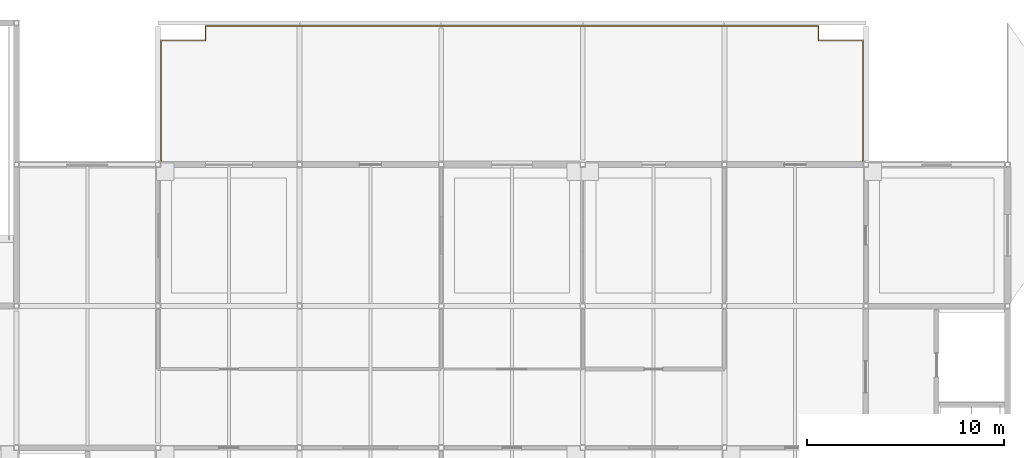
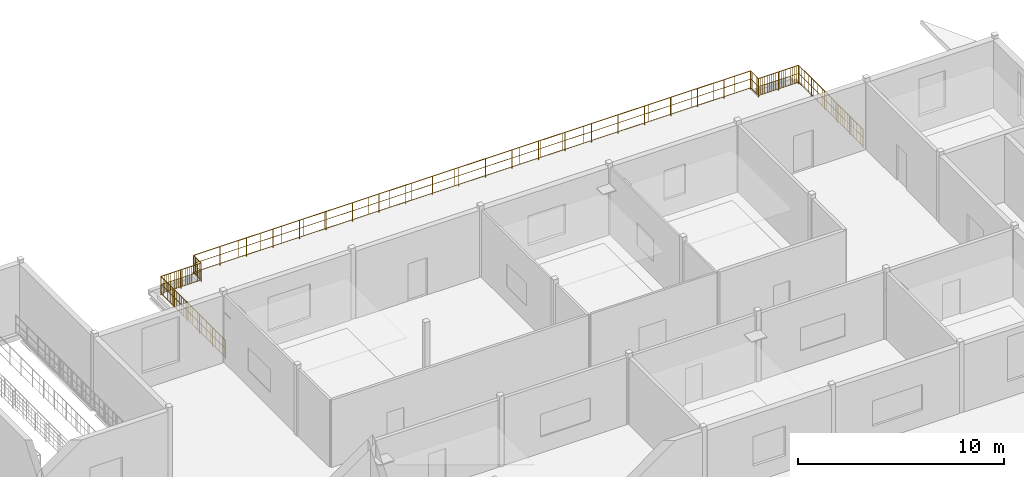
# One storey, part 18 of 18: 1 railing.
"""IFC4 building model written with IfcOpenShell, lengths in metres."""

import ifcopenshell
import ifcopenshell.guid

model = None  # the IFC model being written
_history = None  # IfcOwnerHistory: only IFC2X3 demands one
_inside = {}  # id of a spatial element -> (the spatial element, [elements in it])
_under = {}  # id of a project, library or spatial element -> (it, [spatial elements below it])
_declared = {}  # id of a project -> (the project, [libraries it declares])
_typed = {}  # id of a type object -> (the type object, [elements of that type])
_made_of = {}  # id of a material, layer set ... -> (it, [elements and type objects made of it])


def new_model(schema):
    """Start an empty IFC model of exactly this schema.

    Asked for "IFC4X3", IfcOpenShell would pick the latest addendum, in which some entities
    have other attributes; the version numbers below select the first issue.
    IFC2X3 requires an IfcOwnerHistory on every rooted entity: one is made here for all.
    """
    global model, _history
    if schema == "IFC4X3":
        model = ifcopenshell.file(schema_version=(4, 3, 0, 0))
    else:
        model = ifcopenshell.file(schema=schema)
    _inside.clear()
    _under.clear()
    _declared.clear()
    _typed.clear()
    _made_of.clear()
    _history = None
    if model.schema == "IFC2X3":
        org = make("IfcOrganization", Name="unknown")
        user = make(
            "IfcPersonAndOrganization",
            ThePerson=make("IfcPerson", FamilyName="unknown"),
            TheOrganization=org,
        )
        app = make(
            "IfcApplication",
            ApplicationDeveloper=org,
            Version="unknown",
            ApplicationFullName="unknown",
            ApplicationIdentifier="unknown",
        )
        _history = make(
            "IfcOwnerHistory",
            OwningUser=user,
            OwningApplication=app,
            ChangeAction="ADDED",
            CreationDate=0,
        )
    return model


def make(cls, **values):
    """One entity of the class cls with the attributes given. An attribute that is None is left unset."""
    return model.create_entity(
        cls, **{name: value for name, value in values.items() if value is not None}
    )


def rooted(cls, **values):
    """An entity with a GlobalId (a new one), such as an element, a storey or a relation."""
    return make(cls, GlobalId=ifcopenshell.guid.new(), OwnerHistory=_history, **values)


def si_unit(unit_type, name, prefix=None):
    """IfcSIUnit, for example si_unit("LENGTHUNIT", "METRE", prefix="MILLI")."""
    return make("IfcSIUnit", UnitType=unit_type, Prefix=prefix, Name=name)


def assignment(units):
    """IfcUnitAssignment: the units of a project."""
    return None if units is None else make("IfcUnitAssignment", Units=units)


def point(xyz):
    """IfcCartesianPoint."""
    return None if xyz is None else make("IfcCartesianPoint", Coordinates=xyz)


def direction(xyz):
    """IfcDirection."""
    return None if xyz is None else make("IfcDirection", DirectionRatios=xyz)


def frame(location, z_axis=None, x_axis=None):
    """IfcAxis2Placement3D, a coordinate frame: its origin and axes. An axis left out is left unset."""
    return make(
        "IfcAxis2Placement3D",
        Location=point(location),
        Axis=direction(z_axis),
        RefDirection=direction(x_axis),
    )


def frame_2d(location, x_axis=None):
    """IfcAxis2Placement2D, a coordinate frame in the plane: its origin and x axis."""
    return make(
        "IfcAxis2Placement2D", Location=point(location), RefDirection=direction(x_axis)
    )


def origin():
    """The frame at (0, 0, 0) with its axes left unset."""
    return frame((0.0, 0.0, 0.0))


def origin_2d():
    """The frame at (0, 0) in the plane with its x axis left unset."""
    return frame_2d((0.0, 0.0))


def place(relative_to, where):
    """IfcLocalPlacement: puts the frame where relative to a parent placement (None: the world)."""
    return make(
        "IfcLocalPlacement", PlacementRelTo=relative_to, RelativePlacement=where
    )


def context(
    kind, dimensions, precision=None, world=None, true_north=None, identifier=None
):
    """IfcGeometricRepresentationContext, for example the 3D "Model" context."""
    return make(
        "IfcGeometricRepresentationContext",
        ContextIdentifier=identifier,
        ContextType=kind,
        CoordinateSpaceDimension=dimensions,
        Precision=precision,
        WorldCoordinateSystem=world,
        TrueNorth=true_north,
    )


def subcontext(parent, identifier, kind, view, scale=None):
    """IfcGeometricRepresentationSubContext, for example "Body" below "Model"."""
    return make(
        "IfcGeometricRepresentationSubContext",
        ContextIdentifier=identifier,
        ContextType=kind,
        ParentContext=parent,
        TargetScale=scale,
        TargetView=view,
    )


def project(units=None, contexts=None):
    """IfcProject with its units and contexts."""
    return rooted(
        "IfcProject",
        Name="project",
        RepresentationContexts=contexts,
        UnitsInContext=assignment(units),
    )


def spatial(cls, under=None, at=None, **own):
    """A site, building, storey or space (cls), placed at a placement, below another one or the project."""
    s = rooted(cls, ObjectPlacement=at, **own)
    if under is not None:
        _under.setdefault(under.id(), (under, []))[1].append(s)
    return s


def profile(cls, at=None, kind="AREA", **sizes):
    """A parametric profile (cls). Its sizes go by their IFC names, for example OverallWidth=200.0."""
    return make(cls, ProfileType=kind, Position=at, **sizes)


def circle(**sizes):
    """IfcCircleProfileDef."""
    return profile("IfcCircleProfileDef", **sizes)


def extrude(swept, where, along, depth):
    """IfcExtrudedAreaSolid: the profile swept, set in the frame where, extruded along a direction by depth."""
    return make(
        "IfcExtrudedAreaSolid",
        SweptArea=swept,
        Position=where,
        ExtrudedDirection=direction(along),
        Depth=depth,
    )


def shape(context_of_items, identifier, shape_type, items):
    """IfcShapeRepresentation: the items that make up one representation, for example the "Body"."""
    return make(
        "IfcShapeRepresentation",
        ContextOfItems=context_of_items,
        RepresentationIdentifier=identifier,
        RepresentationType=shape_type,
        Items=items,
    )


def material(Name=None, Category=None):
    """IfcMaterial."""
    return make("IfcMaterial", Name=Name, Category=Category)


def made_of(thing, what):
    """Note that an element or type object is made of a material, layer set ...; save() writes the relation."""
    if what is not None:
        _made_of.setdefault(what.id(), (what, []))[1].append(thing)
    return thing


def type_object(cls, material=None, **own):
    """A type object (cls), such as IfcWallType, which elements share."""
    return made_of(rooted(cls, **own), material)


def element(
    cls,
    number,
    at=None,
    inside=None,
    cuts=None,
    type_object=None,
    material=None,
    context=None,
    identifier="Body",
    shape_type=None,
    held_by="IfcProductDefinitionShape",
    body=None,
    shapes=None,
    **own,
):
    """One element of the class cls, such as IfcWall. Its Tag is "e" and its number.

    at: its placement. inside: the storey or other place that contains it. cuts: it is an
    opening in that element (IfcRelVoidsElement). A single representation is given by context,
    identifier, shape_type and body (its items); several are given by shapes. held_by: the class
    of the entity that holds the representations. save() writes the other relations.
    """
    e = rooted(cls, Tag="e%d" % number, ObjectPlacement=at, **own)
    if body is not None:
        shapes = [shape(context, identifier, shape_type, body)]
    if shapes is not None:
        e.Representation = make(held_by, Representations=shapes)
    if inside is not None:
        _inside.setdefault(inside.id(), (inside, []))[1].append(e)
    if cuts is not None:
        rooted(
            "IfcRelVoidsElement", RelatingBuildingElement=cuts, RelatedOpeningElement=e
        )
    if type_object is not None:
        _typed.setdefault(type_object.id(), (type_object, []))[1].append(e)
    return made_of(e, material)


def aggregate(whole, parts):
    """IfcRelAggregates: a whole, such as a stair, and the parts it consists of."""
    return rooted("IfcRelAggregates", RelatingObject=whole, RelatedObjects=parts)


def save(model, path):
    """Write the relations noted so far, then the file.

    IfcRelAggregates (storeys below a building ...), IfcRelContainedInSpatialStructure (elements
    in a storey), IfcRelDefinesByType, IfcRelAssociatesMaterial and IfcRelDeclares: one each for
    every whole, place, type object, material and project.
    """
    for whole, parts in _under.values():
        aggregate(whole, parts)
    for where, things in _inside.values():
        rooted(
            "IfcRelContainedInSpatialStructure",
            RelatedElements=things,
            RelatingStructure=where,
        )
    for kind, things in _typed.values():
        rooted("IfcRelDefinesByType", RelatedObjects=things, RelatingType=kind)
    for what, things in _made_of.values():
        rooted("IfcRelAssociatesMaterial", RelatedObjects=things, RelatingMaterial=what)
    for by, libraries in _declared.values():
        rooted("IfcRelDeclares", RelatingContext=by, RelatedDefinitions=libraries)
    model.write(path)


model = new_model("IFC4")

# Units and contexts
model_context = context("Model", 3, precision=1e-05, world=origin(), true_north=direction((0.0, 1.0)))
body_context = subcontext(model_context, "Body", "Model", "MODEL_VIEW")
ifc_project = project(units=[si_unit("LENGTHUNIT", "METRE"), si_unit("AREAUNIT", "SQUARE_METRE"), si_unit("VOLUMEUNIT", "CUBIC_METRE"), si_unit("PLANEANGLEUNIT", "RADIAN"), si_unit("MASSUNIT", "GRAM", prefix="KILO")], contexts=[model_context])

# Site, building, storey
site_placement = place(None, origin())
site = spatial("IfcSite", under=ifc_project, at=site_placement, CompositionType="ELEMENT")
building_placement = place(site_placement, origin())
building = spatial("IfcBuilding", under=site, at=building_placement, Name="Vesperath Aquatics Centre", CompositionType="ELEMENT")
storey_placement = place(building_placement, frame((0.0, 0.0, 23.39990234375)))
storey = spatial("IfcBuildingStorey", under=building, at=storey_placement, Name="L05", CompositionType="ELEMENT", Elevation=23.39990234375)

# Railing
ifc_material = material(Name="Patinated bronze Art Nouveau balustrade", Category="aluminium")
railing_type = type_object("IfcRailingType", Name="RL-BAL01", PredefinedType="BALUSTRADE", material=ifc_material)
railing_placement = place(storey_placement, frame((129.75, 28.85009765625, 0.0)))
element("IfcRailing", 1, at=railing_placement, inside=storey, type_object=railing_type, Name="Officials Viewing Terrace Balustrade GR01 L05", PredefinedType="BALUSTRADE", context=body_context, shape_type="SweptSolid", body=[
    extrude(circle(Radius=0.02392578125, at=origin_2d()), frame((0.0, 0.0, 1.09619140625), z_axis=(0.0, 1.0, 0.0), x_axis=(-1.0, 0.0, 0.0)), (0.0, 0.0, 1.0), 6.25),
    extrude(circle(Radius=0.01611328125, at=origin_2d()), frame((0.0, 0.0, 0.10009765625), z_axis=(0.0, 1.0, 0.0), x_axis=(-1.0, 0.0, 0.0)), (0.0, 0.0, 1.0), 6.25),
    extrude(circle(Radius=0.01611328125, at=origin_2d()), frame((0.0, 0.0, 0.615966796875), z_axis=(0.0, 1.0, 0.0), x_axis=(-1.0, 0.0, 0.0)), (0.0, 0.0, 1.0), 6.25),
    extrude(circle(Radius=0.009033203125, at=origin_2d()), frame((0.0, 0.109619140625, 0.10009765625)), (0.0, 0.0, 1.0), 0.971923828125),
    extrude(circle(Radius=0.009033203125, at=origin_2d()), frame((0.0, 0.328857421875, 0.10009765625)), (0.0, 0.0, 1.0), 0.971923828125),
    extrude(circle(Radius=0.009033203125, at=origin_2d()), frame((0.0, 0.54833984375, 0.10009765625)), (0.0, 0.0, 1.0), 0.971923828125),
    extrude(circle(Radius=0.009033203125, at=origin_2d()), frame((0.0, 0.767578125, 0.10009765625)), (0.0, 0.0, 1.0), 0.971923828125),
    extrude(circle(Radius=0.009033203125, at=origin_2d()), frame((0.0, 0.98681640625, 0.10009765625)), (0.0, 0.0, 1.0), 0.971923828125),
    extrude(circle(Radius=0.009033203125, at=origin_2d()), frame((0.0, 1.2060546875, 0.10009765625)), (0.0, 0.0, 1.0), 0.971923828125),
    extrude(circle(Radius=0.009033203125, at=origin_2d()), frame((0.0, 1.425537109375, 0.10009765625)), (0.0, 0.0, 1.0), 0.971923828125),
    extrude(circle(Radius=0.009033203125, at=origin_2d()), frame((0.0, 1.644775390625, 0.10009765625)), (0.0, 0.0, 1.0), 0.971923828125),
    extrude(circle(Radius=0.009033203125, at=origin_2d()), frame((0.0, 1.864013671875, 0.10009765625)), (0.0, 0.0, 1.0), 0.971923828125),
    extrude(circle(Radius=0.009033203125, at=origin_2d()), frame((0.0, 2.083251953125, 0.10009765625)), (0.0, 0.0, 1.0), 0.971923828125),
    extrude(circle(Radius=0.009033203125, at=origin_2d()), frame((0.0, 2.302734375, 0.10009765625)), (0.0, 0.0, 1.0), 0.971923828125),
    extrude(circle(Radius=0.009033203125, at=origin_2d()), frame((0.0, 2.52197265625, 0.10009765625)), (0.0, 0.0, 1.0), 0.971923828125),
    extrude(circle(Radius=0.009033203125, at=origin_2d()), frame((0.0, 2.7412109375, 0.10009765625)), (0.0, 0.0, 1.0), 0.971923828125),
    extrude(circle(Radius=0.009033203125, at=origin_2d()), frame((0.0, 2.96044921875, 0.10009765625)), (0.0, 0.0, 1.0), 0.971923828125),
    extrude(circle(Radius=0.009033203125, at=origin_2d()), frame((0.0, 3.179931640625, 0.10009765625)), (0.0, 0.0, 1.0), 0.971923828125),
    extrude(circle(Radius=0.009033203125, at=origin_2d()), frame((0.0, 3.399169921875, 0.10009765625)), (0.0, 0.0, 1.0), 0.971923828125),
    extrude(circle(Radius=0.009033203125, at=origin_2d()), frame((0.0, 3.618408203125, 0.10009765625)), (0.0, 0.0, 1.0), 0.971923828125),
    extrude(circle(Radius=0.009033203125, at=origin_2d()), frame((0.0, 3.837646484375, 0.10009765625)), (0.0, 0.0, 1.0), 0.971923828125),
    extrude(circle(Radius=0.009033203125, at=origin_2d()), frame((0.0, 4.05712890625, 0.10009765625)), (0.0, 0.0, 1.0), 0.971923828125),
    extrude(circle(Radius=0.009033203125, at=origin_2d()), frame((0.0, 4.2763671875, 0.10009765625)), (0.0, 0.0, 1.0), 0.971923828125),
    extrude(circle(Radius=0.009033203125, at=origin_2d()), frame((0.0, 4.49560546875, 0.10009765625)), (0.0, 0.0, 1.0), 0.971923828125),
    extrude(circle(Radius=0.009033203125, at=origin_2d()), frame((0.0, 4.71484375, 0.10009765625)), (0.0, 0.0, 1.0), 0.971923828125),
    extrude(circle(Radius=0.009033203125, at=origin_2d()), frame((0.0, 4.934326171875, 0.10009765625)), (0.0, 0.0, 1.0), 0.971923828125),
    extrude(circle(Radius=0.009033203125, at=origin_2d()), frame((0.0, 5.153564453125, 0.10009765625)), (0.0, 0.0, 1.0), 0.971923828125),
    extrude(circle(Radius=0.009033203125, at=origin_2d()), frame((0.0, 5.372802734375, 0.10009765625)), (0.0, 0.0, 1.0), 0.971923828125),
    extrude(circle(Radius=0.009033203125, at=origin_2d()), frame((0.0, 5.592041015625, 0.10009765625)), (0.0, 0.0, 1.0), 0.971923828125),
    extrude(circle(Radius=0.009033203125, at=origin_2d()), frame((0.0, 5.8115234375, 0.10009765625)), (0.0, 0.0, 1.0), 0.971923828125),
    extrude(circle(Radius=0.009033203125, at=origin_2d()), frame((0.0, 6.03076171875, 0.10009765625)), (0.0, 0.0, 1.0), 0.971923828125),
    extrude(circle(Radius=0.02392578125, at=origin_2d()), frame((0.0, 6.25, 1.09619140625), z_axis=(1.0, 0.0, 0.0), x_axis=(0.0, 1.0, 0.0)), (0.0, 0.0, 1.0), 2.25),
    extrude(circle(Radius=0.01611328125, at=origin_2d()), frame((0.0, 6.25, 0.10009765625), z_axis=(1.0, 0.0, 0.0), x_axis=(0.0, 1.0, 0.0)), (0.0, 0.0, 1.0), 2.25),
    extrude(circle(Radius=0.01611328125, at=origin_2d()), frame((0.0, 6.25, 0.615966796875), z_axis=(1.0, 0.0, 0.0), x_axis=(0.0, 1.0, 0.0)), (0.0, 0.0, 1.0), 2.25),
    extrude(circle(Radius=0.009033203125, at=origin_2d()), frame((0.107177734375, 6.25, 0.10009765625)), (0.0, 0.0, 1.0), 0.971923828125),
    extrude(circle(Radius=0.009033203125, at=origin_2d()), frame((0.21435546875, 6.25, 0.10009765625)), (0.0, 0.0, 1.0), 0.971923828125),
    extrude(circle(Radius=0.009033203125, at=origin_2d()), frame((0.321533203125, 6.25, 0.10009765625)), (0.0, 0.0, 1.0), 0.971923828125),
    extrude(circle(Radius=0.009033203125, at=origin_2d()), frame((0.428466796875, 6.25, 0.10009765625)), (0.0, 0.0, 1.0), 0.971923828125),
    extrude(circle(Radius=0.009033203125, at=origin_2d()), frame((0.53564453125, 6.25, 0.10009765625)), (0.0, 0.0, 1.0), 0.971923828125),
    extrude(circle(Radius=0.009033203125, at=origin_2d()), frame((0.642822265625, 6.25, 0.10009765625)), (0.0, 0.0, 1.0), 0.971923828125),
    extrude(circle(Radius=0.009033203125, at=origin_2d()), frame((0.75, 6.25, 0.10009765625)), (0.0, 0.0, 1.0), 0.971923828125),
    extrude(circle(Radius=0.009033203125, at=origin_2d()), frame((0.857177734375, 6.25, 0.10009765625)), (0.0, 0.0, 1.0), 0.971923828125),
    extrude(circle(Radius=0.009033203125, at=origin_2d()), frame((0.96435546875, 6.25, 0.10009765625)), (0.0, 0.0, 1.0), 0.971923828125),
    extrude(circle(Radius=0.009033203125, at=origin_2d()), frame((1.071533203125, 6.25, 0.10009765625)), (0.0, 0.0, 1.0), 0.971923828125),
    extrude(circle(Radius=0.009033203125, at=origin_2d()), frame((1.178466796875, 6.25, 0.10009765625)), (0.0, 0.0, 1.0), 0.971923828125),
    extrude(circle(Radius=0.009033203125, at=origin_2d()), frame((1.28564453125, 6.25, 0.10009765625)), (0.0, 0.0, 1.0), 0.971923828125),
    extrude(circle(Radius=0.009033203125, at=origin_2d()), frame((1.392822265625, 6.25, 0.10009765625)), (0.0, 0.0, 1.0), 0.971923828125),
    extrude(circle(Radius=0.009033203125, at=origin_2d()), frame((1.5, 6.25, 0.10009765625)), (0.0, 0.0, 1.0), 0.971923828125),
    extrude(circle(Radius=0.009033203125, at=origin_2d()), frame((1.607177734375, 6.25, 0.10009765625)), (0.0, 0.0, 1.0), 0.971923828125),
    extrude(circle(Radius=0.009033203125, at=origin_2d()), frame((1.71435546875, 6.25, 0.10009765625)), (0.0, 0.0, 1.0), 0.971923828125),
    extrude(circle(Radius=0.009033203125, at=origin_2d()), frame((1.821533203125, 6.25, 0.10009765625)), (0.0, 0.0, 1.0), 0.971923828125),
    extrude(circle(Radius=0.009033203125, at=origin_2d()), frame((1.928466796875, 6.25, 0.10009765625)), (0.0, 0.0, 1.0), 0.971923828125),
    extrude(circle(Radius=0.009033203125, at=origin_2d()), frame((2.03564453125, 6.25, 0.10009765625)), (0.0, 0.0, 1.0), 0.971923828125),
    extrude(circle(Radius=0.009033203125, at=origin_2d()), frame((2.142822265625, 6.25, 0.10009765625)), (0.0, 0.0, 1.0), 0.971923828125),
    extrude(circle(Radius=0.02392578125, at=origin_2d()), frame((2.25, 6.25, 1.09619140625), z_axis=(0.0, 1.0, 0.0), x_axis=(-1.0, 0.0, 0.0)), (0.0, 0.0, 1.0), 0.75),
    extrude(circle(Radius=0.01611328125, at=origin_2d()), frame((2.25, 6.25, 0.10009765625), z_axis=(0.0, 1.0, 0.0), x_axis=(-1.0, 0.0, 0.0)), (0.0, 0.0, 1.0), 0.75),
    extrude(circle(Radius=0.01611328125, at=origin_2d()), frame((2.25, 6.25, 0.615966796875), z_axis=(0.0, 1.0, 0.0), x_axis=(-1.0, 0.0, 0.0)), (0.0, 0.0, 1.0), 0.75),
    extrude(circle(Radius=0.009033203125, at=origin_2d()), frame((2.25, 6.357177734375, 0.10009765625)), (0.0, 0.0, 1.0), 0.971923828125),
    extrude(circle(Radius=0.009033203125, at=origin_2d()), frame((2.25, 6.46435546875, 0.10009765625)), (0.0, 0.0, 1.0), 0.971923828125),
    extrude(circle(Radius=0.009033203125, at=origin_2d()), frame((2.25, 6.571533203125, 0.10009765625)), (0.0, 0.0, 1.0), 0.971923828125),
    extrude(circle(Radius=0.009033203125, at=origin_2d()), frame((2.25, 6.678466796875, 0.10009765625)), (0.0, 0.0, 1.0), 0.971923828125),
    extrude(circle(Radius=0.009033203125, at=origin_2d()), frame((2.25, 6.78564453125, 0.10009765625)), (0.0, 0.0, 1.0), 0.971923828125),
    extrude(circle(Radius=0.009033203125, at=origin_2d()), frame((2.25, 6.892822265625, 0.10009765625)), (0.0, 0.0, 1.0), 0.971923828125),
    extrude(circle(Radius=0.02392578125, at=origin_2d()), frame((2.25, 7.0, 1.09619140625), z_axis=(1.0, 0.0, 0.0), x_axis=(0.0, 1.0, 0.0)), (0.0, 0.0, 1.0), 31.199951171875),
    extrude(circle(Radius=0.01611328125, at=origin_2d()), frame((2.25, 7.0, 0.10009765625), z_axis=(1.0, 0.0, 0.0), x_axis=(0.0, 1.0, 0.0)), (0.0, 0.0, 1.0), 31.199951171875),
    extrude(circle(Radius=0.01611328125, at=origin_2d()), frame((2.25, 7.0, 0.615966796875), z_axis=(1.0, 0.0, 0.0), x_axis=(0.0, 1.0, 0.0)), (0.0, 0.0, 1.0), 31.199951171875),
    extrude(circle(Radius=0.009033203125, at=origin_2d()), frame((2.35986328125, 7.0, 0.10009765625)), (0.0, 0.0, 1.0), 0.971923828125),
    extrude(circle(Radius=0.009033203125, at=origin_2d()), frame((3.568359375, 7.0, 0.10009765625)), (0.0, 0.0, 1.0), 0.971923828125),
    extrude(circle(Radius=0.009033203125, at=origin_2d()), frame((4.77685546875, 7.0, 0.10009765625)), (0.0, 0.0, 1.0), 0.971923828125),
    extrude(circle(Radius=0.009033203125, at=origin_2d()), frame((5.985107421875, 7.0, 0.10009765625)), (0.0, 0.0, 1.0), 0.971923828125),
    extrude(circle(Radius=0.009033203125, at=origin_2d()), frame((7.193603515625, 7.0, 0.10009765625)), (0.0, 0.0, 1.0), 0.971923828125),
    extrude(circle(Radius=0.009033203125, at=origin_2d()), frame((8.402099609375, 7.0, 0.10009765625)), (0.0, 0.0, 1.0), 0.971923828125),
    extrude(circle(Radius=0.009033203125, at=origin_2d()), frame((9.610595703125, 7.0, 0.10009765625)), (0.0, 0.0, 1.0), 0.971923828125),
    extrude(circle(Radius=0.009033203125, at=origin_2d()), frame((10.819091796875, 7.0, 0.10009765625)), (0.0, 0.0, 1.0), 0.971923828125),
    extrude(circle(Radius=0.009033203125, at=origin_2d()), frame((12.02734375, 7.0, 0.10009765625)), (0.0, 0.0, 1.0), 0.971923828125),
    extrude(circle(Radius=0.009033203125, at=origin_2d()), frame((13.23583984375, 7.0, 0.10009765625)), (0.0, 0.0, 1.0), 0.971923828125),
    extrude(circle(Radius=0.009033203125, at=origin_2d()), frame((14.4443359375, 7.0, 0.10009765625)), (0.0, 0.0, 1.0), 0.971923828125),
    extrude(circle(Radius=0.009033203125, at=origin_2d()), frame((15.65283203125, 7.0, 0.10009765625)), (0.0, 0.0, 1.0), 0.971923828125),
    extrude(circle(Radius=0.009033203125, at=origin_2d()), frame((16.861328125, 7.0, 0.10009765625)), (0.0, 0.0, 1.0), 0.971923828125),
    extrude(circle(Radius=0.009033203125, at=origin_2d()), frame((18.069580078125, 7.0, 0.10009765625)), (0.0, 0.0, 1.0), 0.971923828125),
    extrude(circle(Radius=0.009033203125, at=origin_2d()), frame((19.278076171875, 7.0, 0.10009765625)), (0.0, 0.0, 1.0), 0.971923828125),
    extrude(circle(Radius=0.009033203125, at=origin_2d()), frame((20.486572265625, 7.0, 0.10009765625)), (0.0, 0.0, 1.0), 0.971923828125),
    extrude(circle(Radius=0.009033203125, at=origin_2d()), frame((21.695068359375, 7.0, 0.10009765625)), (0.0, 0.0, 1.0), 0.971923828125),
    extrude(circle(Radius=0.009033203125, at=origin_2d()), frame((22.903564453125, 7.0, 0.10009765625)), (0.0, 0.0, 1.0), 0.971923828125),
    extrude(circle(Radius=0.009033203125, at=origin_2d()), frame((24.11181640625, 7.0, 0.10009765625)), (0.0, 0.0, 1.0), 0.971923828125),
    extrude(circle(Radius=0.009033203125, at=origin_2d()), frame((25.3203125, 7.0, 0.10009765625)), (0.0, 0.0, 1.0), 0.971923828125),
    extrude(circle(Radius=0.009033203125, at=origin_2d()), frame((26.52880859375, 7.0, 0.10009765625)), (0.0, 0.0, 1.0), 0.971923828125),
    extrude(circle(Radius=0.009033203125, at=origin_2d()), frame((27.7373046875, 7.0, 0.10009765625)), (0.0, 0.0, 1.0), 0.971923828125),
    extrude(circle(Radius=0.009033203125, at=origin_2d()), frame((28.94580078125, 7.0, 0.10009765625)), (0.0, 0.0, 1.0), 0.971923828125),
    extrude(circle(Radius=0.009033203125, at=origin_2d()), frame((30.154296875, 7.0, 0.10009765625)), (0.0, 0.0, 1.0), 0.971923828125),
    extrude(circle(Radius=0.009033203125, at=origin_2d()), frame((31.362548828125, 7.0, 0.10009765625)), (0.0, 0.0, 1.0), 0.971923828125),
    extrude(circle(Radius=0.009033203125, at=origin_2d()), frame((32.571044921875, 7.0, 0.10009765625)), (0.0, 0.0, 1.0), 0.971923828125),
    extrude(circle(Radius=0.02392578125, at=origin_2d()), frame((33.449951171875, 7.0, 1.09619140625), z_axis=(0.0, -1.0, 0.0), x_axis=(1.0, 0.0, 0.0)), (0.0, 0.0, 1.0), 0.75),
    extrude(circle(Radius=0.01611328125, at=origin_2d()), frame((33.449951171875, 7.0, 0.10009765625), z_axis=(0.0, -1.0, 0.0), x_axis=(1.0, 0.0, 0.0)), (0.0, 0.0, 1.0), 0.75),
    extrude(circle(Radius=0.01611328125, at=origin_2d()), frame((33.449951171875, 7.0, 0.615966796875), z_axis=(0.0, -1.0, 0.0), x_axis=(1.0, 0.0, 0.0)), (0.0, 0.0, 1.0), 0.75),
    extrude(circle(Radius=0.009033203125, at=origin_2d()), frame((33.449951171875, 6.892822265625, 0.10009765625)), (0.0, 0.0, 1.0), 0.971923828125),
    extrude(circle(Radius=0.009033203125, at=origin_2d()), frame((33.449951171875, 6.78564453125, 0.10009765625)), (0.0, 0.0, 1.0), 0.971923828125),
    extrude(circle(Radius=0.009033203125, at=origin_2d()), frame((33.449951171875, 6.678466796875, 0.10009765625)), (0.0, 0.0, 1.0), 0.971923828125),
    extrude(circle(Radius=0.009033203125, at=origin_2d()), frame((33.449951171875, 6.571533203125, 0.10009765625)), (0.0, 0.0, 1.0), 0.971923828125),
    extrude(circle(Radius=0.009033203125, at=origin_2d()), frame((33.449951171875, 6.46435546875, 0.10009765625)), (0.0, 0.0, 1.0), 0.971923828125),
    extrude(circle(Radius=0.009033203125, at=origin_2d()), frame((33.449951171875, 6.357177734375, 0.10009765625)), (0.0, 0.0, 1.0), 0.971923828125),
    extrude(circle(Radius=0.02392578125, at=origin_2d()), frame((33.449951171875, 6.25, 1.09619140625), z_axis=(1.0, 0.0, 0.0), x_axis=(0.0, 1.0, 0.0)), (0.0, 0.0, 1.0), 2.25),
    extrude(circle(Radius=0.01611328125, at=origin_2d()), frame((33.449951171875, 6.25, 0.10009765625), z_axis=(1.0, 0.0, 0.0), x_axis=(0.0, 1.0, 0.0)), (0.0, 0.0, 1.0), 2.25),
    extrude(circle(Radius=0.01611328125, at=origin_2d()), frame((33.449951171875, 6.25, 0.615966796875), z_axis=(1.0, 0.0, 0.0), x_axis=(0.0, 1.0, 0.0)), (0.0, 0.0, 1.0), 2.25),
    extrude(circle(Radius=0.009033203125, at=origin_2d()), frame((33.55712890625, 6.25, 0.10009765625)), (0.0, 0.0, 1.0), 0.971923828125),
    extrude(circle(Radius=0.009033203125, at=origin_2d()), frame((33.664306640625, 6.25, 0.10009765625)), (0.0, 0.0, 1.0), 0.971923828125),
    extrude(circle(Radius=0.009033203125, at=origin_2d()), frame((33.771484375, 6.25, 0.10009765625)), (0.0, 0.0, 1.0), 0.971923828125),
    extrude(circle(Radius=0.009033203125, at=origin_2d()), frame((33.87841796875, 6.25, 0.10009765625)), (0.0, 0.0, 1.0), 0.971923828125),
    extrude(circle(Radius=0.009033203125, at=origin_2d()), frame((33.985595703125, 6.25, 0.10009765625)), (0.0, 0.0, 1.0), 0.971923828125),
    extrude(circle(Radius=0.009033203125, at=origin_2d()), frame((34.0927734375, 6.25, 0.10009765625)), (0.0, 0.0, 1.0), 0.971923828125),
    extrude(circle(Radius=0.009033203125, at=origin_2d()), frame((34.199951171875, 6.25, 0.10009765625)), (0.0, 0.0, 1.0), 0.971923828125),
    extrude(circle(Radius=0.009033203125, at=origin_2d()), frame((34.30712890625, 6.25, 0.10009765625)), (0.0, 0.0, 1.0), 0.971923828125),
    extrude(circle(Radius=0.009033203125, at=origin_2d()), frame((34.414306640625, 6.25, 0.10009765625)), (0.0, 0.0, 1.0), 0.971923828125),
    extrude(circle(Radius=0.009033203125, at=origin_2d()), frame((34.521484375, 6.25, 0.10009765625)), (0.0, 0.0, 1.0), 0.971923828125),
    extrude(circle(Radius=0.009033203125, at=origin_2d()), frame((34.62841796875, 6.25, 0.10009765625)), (0.0, 0.0, 1.0), 0.971923828125),
    extrude(circle(Radius=0.009033203125, at=origin_2d()), frame((34.735595703125, 6.25, 0.10009765625)), (0.0, 0.0, 1.0), 0.971923828125),
    extrude(circle(Radius=0.009033203125, at=origin_2d()), frame((34.8427734375, 6.25, 0.10009765625)), (0.0, 0.0, 1.0), 0.971923828125),
    extrude(circle(Radius=0.009033203125, at=origin_2d()), frame((34.949951171875, 6.25, 0.10009765625)), (0.0, 0.0, 1.0), 0.971923828125),
    extrude(circle(Radius=0.009033203125, at=origin_2d()), frame((35.05712890625, 6.25, 0.10009765625)), (0.0, 0.0, 1.0), 0.971923828125),
    extrude(circle(Radius=0.009033203125, at=origin_2d()), frame((35.164306640625, 6.25, 0.10009765625)), (0.0, 0.0, 1.0), 0.971923828125),
    extrude(circle(Radius=0.009033203125, at=origin_2d()), frame((35.271484375, 6.25, 0.10009765625)), (0.0, 0.0, 1.0), 0.971923828125),
    extrude(circle(Radius=0.009033203125, at=origin_2d()), frame((35.37841796875, 6.25, 0.10009765625)), (0.0, 0.0, 1.0), 0.971923828125),
    extrude(circle(Radius=0.009033203125, at=origin_2d()), frame((35.485595703125, 6.25, 0.10009765625)), (0.0, 0.0, 1.0), 0.971923828125),
    extrude(circle(Radius=0.009033203125, at=origin_2d()), frame((35.5927734375, 6.25, 0.10009765625)), (0.0, 0.0, 1.0), 0.971923828125),
    extrude(circle(Radius=0.02392578125, at=origin_2d()), frame((35.699951171875, 6.25, 1.09619140625), z_axis=(0.0, -1.0, 0.0), x_axis=(1.0, 0.0, 0.0)), (0.0, 0.0, 1.0), 6.25),
    extrude(circle(Radius=0.01611328125, at=origin_2d()), frame((35.699951171875, 6.25, 0.10009765625), z_axis=(0.0, -1.0, 0.0), x_axis=(1.0, 0.0, 0.0)), (0.0, 0.0, 1.0), 6.25),
    extrude(circle(Radius=0.01611328125, at=origin_2d()), frame((35.699951171875, 6.25, 0.615966796875), z_axis=(0.0, -1.0, 0.0), x_axis=(1.0, 0.0, 0.0)), (0.0, 0.0, 1.0), 6.25),
    extrude(circle(Radius=0.009033203125, at=origin_2d()), frame((35.699951171875, 6.140380859375, 0.10009765625)), (0.0, 0.0, 1.0), 0.971923828125),
    extrude(circle(Radius=0.009033203125, at=origin_2d()), frame((35.699951171875, 5.921142578125, 0.10009765625)), (0.0, 0.0, 1.0), 0.971923828125),
    extrude(circle(Radius=0.009033203125, at=origin_2d()), frame((35.699951171875, 5.70166015625, 0.10009765625)), (0.0, 0.0, 1.0), 0.971923828125),
    extrude(circle(Radius=0.009033203125, at=origin_2d()), frame((35.699951171875, 5.482421875, 0.10009765625)), (0.0, 0.0, 1.0), 0.971923828125),
    extrude(circle(Radius=0.009033203125, at=origin_2d()), frame((35.699951171875, 5.26318359375, 0.10009765625)), (0.0, 0.0, 1.0), 0.971923828125),
    extrude(circle(Radius=0.009033203125, at=origin_2d()), frame((35.699951171875, 5.0439453125, 0.10009765625)), (0.0, 0.0, 1.0), 0.971923828125),
    extrude(circle(Radius=0.009033203125, at=origin_2d()), frame((35.699951171875, 4.824462890625, 0.10009765625)), (0.0, 0.0, 1.0), 0.971923828125),
    extrude(circle(Radius=0.009033203125, at=origin_2d()), frame((35.699951171875, 4.605224609375, 0.10009765625)), (0.0, 0.0, 1.0), 0.971923828125),
    extrude(circle(Radius=0.009033203125, at=origin_2d()), frame((35.699951171875, 4.385986328125, 0.10009765625)), (0.0, 0.0, 1.0), 0.971923828125),
    extrude(circle(Radius=0.009033203125, at=origin_2d()), frame((35.699951171875, 4.166748046875, 0.10009765625)), (0.0, 0.0, 1.0), 0.971923828125),
    extrude(circle(Radius=0.009033203125, at=origin_2d()), frame((35.699951171875, 3.947265625, 0.10009765625)), (0.0, 0.0, 1.0), 0.971923828125),
    extrude(circle(Radius=0.009033203125, at=origin_2d()), frame((35.699951171875, 3.72802734375, 0.10009765625)), (0.0, 0.0, 1.0), 0.971923828125),
    extrude(circle(Radius=0.009033203125, at=origin_2d()), frame((35.699951171875, 3.5087890625, 0.10009765625)), (0.0, 0.0, 1.0), 0.971923828125),
    extrude(circle(Radius=0.009033203125, at=origin_2d()), frame((35.699951171875, 3.28955078125, 0.10009765625)), (0.0, 0.0, 1.0), 0.971923828125),
    extrude(circle(Radius=0.009033203125, at=origin_2d()), frame((35.699951171875, 3.070068359375, 0.10009765625)), (0.0, 0.0, 1.0), 0.971923828125),
    extrude(circle(Radius=0.009033203125, at=origin_2d()), frame((35.699951171875, 2.850830078125, 0.10009765625)), (0.0, 0.0, 1.0), 0.971923828125),
    extrude(circle(Radius=0.009033203125, at=origin_2d()), frame((35.699951171875, 2.631591796875, 0.10009765625)), (0.0, 0.0, 1.0), 0.971923828125),
    extrude(circle(Radius=0.009033203125, at=origin_2d()), frame((35.699951171875, 2.412353515625, 0.10009765625)), (0.0, 0.0, 1.0), 0.971923828125),
    extrude(circle(Radius=0.009033203125, at=origin_2d()), frame((35.699951171875, 2.19287109375, 0.10009765625)), (0.0, 0.0, 1.0), 0.971923828125),
    extrude(circle(Radius=0.009033203125, at=origin_2d()), frame((35.699951171875, 1.9736328125, 0.10009765625)), (0.0, 0.0, 1.0), 0.971923828125),
    extrude(circle(Radius=0.009033203125, at=origin_2d()), frame((35.699951171875, 1.75439453125, 0.10009765625)), (0.0, 0.0, 1.0), 0.971923828125),
    extrude(circle(Radius=0.009033203125, at=origin_2d()), frame((35.699951171875, 1.53515625, 0.10009765625)), (0.0, 0.0, 1.0), 0.971923828125),
    extrude(circle(Radius=0.009033203125, at=origin_2d()), frame((35.699951171875, 1.315673828125, 0.10009765625)), (0.0, 0.0, 1.0), 0.971923828125),
    extrude(circle(Radius=0.009033203125, at=origin_2d()), frame((35.699951171875, 1.096435546875, 0.10009765625)), (0.0, 0.0, 1.0), 0.971923828125),
    extrude(circle(Radius=0.009033203125, at=origin_2d()), frame((35.699951171875, 0.877197265625, 0.10009765625)), (0.0, 0.0, 1.0), 0.971923828125),
    extrude(circle(Radius=0.009033203125, at=origin_2d()), frame((35.699951171875, 0.657958984375, 0.10009765625)), (0.0, 0.0, 1.0), 0.971923828125),
    extrude(circle(Radius=0.009033203125, at=origin_2d()), frame((35.699951171875, 0.4384765625, 0.10009765625)), (0.0, 0.0, 1.0), 0.971923828125),
    extrude(circle(Radius=0.009033203125, at=origin_2d()), frame((35.699951171875, 0.21923828125, 0.10009765625)), (0.0, 0.0, 1.0), 0.971923828125),
    extrude(circle(Radius=0.02197265625, at=origin_2d()), origin(), (0.0, 0.0, 1.0), 1.09619140625),
    extrude(circle(Radius=0.02197265625, at=origin_2d()), frame((0.0, 1.25, 0.0)), (0.0, 0.0, 1.0), 1.09619140625),
    extrude(circle(Radius=0.02197265625, at=origin_2d()), frame((0.0, 2.5, 0.0)), (0.0, 0.0, 1.0), 1.09619140625),
    extrude(circle(Radius=0.02197265625, at=origin_2d()), frame((0.0, 3.75, 0.0)), (0.0, 0.0, 1.0), 1.09619140625),
    extrude(circle(Radius=0.02197265625, at=origin_2d()), frame((0.0, 5.0, 0.0)), (0.0, 0.0, 1.0), 1.09619140625),
    extrude(circle(Radius=0.02197265625, at=origin_2d()), frame((0.0, 6.25, 0.0)), (0.0, 0.0, 1.0), 1.09619140625),
    extrude(circle(Radius=0.02197265625, at=origin_2d()), frame((1.125, 6.25, 0.0)), (0.0, 0.0, 1.0), 1.09619140625),
    extrude(circle(Radius=0.02197265625, at=origin_2d()), frame((2.25, 6.25, 0.0)), (0.0, 0.0, 1.0), 1.09619140625),
    extrude(circle(Radius=0.02197265625, at=origin_2d()), frame((2.25, 7.0, 0.0)), (0.0, 0.0, 1.0), 1.09619140625),
    extrude(circle(Radius=0.02197265625, at=origin_2d()), frame((3.735595703125, 7.0, 0.0)), (0.0, 0.0, 1.0), 1.09619140625),
    extrude(circle(Radius=0.02197265625, at=origin_2d()), frame((5.221435546875, 7.0, 0.0)), (0.0, 0.0, 1.0), 1.09619140625),
    extrude(circle(Radius=0.02197265625, at=origin_2d()), frame((6.70703125, 7.0, 0.0)), (0.0, 0.0, 1.0), 1.09619140625),
    extrude(circle(Radius=0.02197265625, at=origin_2d()), frame((8.19287109375, 7.0, 0.0)), (0.0, 0.0, 1.0), 1.09619140625),
    extrude(circle(Radius=0.02197265625, at=origin_2d()), frame((9.678466796875, 7.0, 0.0)), (0.0, 0.0, 1.0), 1.09619140625),
    extrude(circle(Radius=0.02197265625, at=origin_2d()), frame((11.164306640625, 7.0, 0.0)), (0.0, 0.0, 1.0), 1.09619140625),
    extrude(circle(Radius=0.02197265625, at=origin_2d()), frame((12.64990234375, 7.0, 0.0)), (0.0, 0.0, 1.0), 1.09619140625),
    extrude(circle(Radius=0.02197265625, at=origin_2d()), frame((14.1357421875, 7.0, 0.0)), (0.0, 0.0, 1.0), 1.09619140625),
    extrude(circle(Radius=0.02197265625, at=origin_2d()), frame((15.621337890625, 7.0, 0.0)), (0.0, 0.0, 1.0), 1.09619140625),
    extrude(circle(Radius=0.02197265625, at=origin_2d()), frame((17.107177734375, 7.0, 0.0)), (0.0, 0.0, 1.0), 1.09619140625),
    extrude(circle(Radius=0.02197265625, at=origin_2d()), frame((18.5927734375, 7.0, 0.0)), (0.0, 0.0, 1.0), 1.09619140625),
    extrude(circle(Radius=0.02197265625, at=origin_2d()), frame((20.07861328125, 7.0, 0.0)), (0.0, 0.0, 1.0), 1.09619140625),
    extrude(circle(Radius=0.02197265625, at=origin_2d()), frame((21.564208984375, 7.0, 0.0)), (0.0, 0.0, 1.0), 1.09619140625),
    extrude(circle(Radius=0.02197265625, at=origin_2d()), frame((23.050048828125, 7.0, 0.0)), (0.0, 0.0, 1.0), 1.09619140625),
    extrude(circle(Radius=0.02197265625, at=origin_2d()), frame((24.53564453125, 7.0, 0.0)), (0.0, 0.0, 1.0), 1.09619140625),
    extrude(circle(Radius=0.02197265625, at=origin_2d()), frame((26.021484375, 7.0, 0.0)), (0.0, 0.0, 1.0), 1.09619140625),
    extrude(circle(Radius=0.02197265625, at=origin_2d()), frame((27.507080078125, 7.0, 0.0)), (0.0, 0.0, 1.0), 1.09619140625),
    extrude(circle(Radius=0.02197265625, at=origin_2d()), frame((28.992919921875, 7.0, 0.0)), (0.0, 0.0, 1.0), 1.09619140625),
    extrude(circle(Radius=0.02197265625, at=origin_2d()), frame((30.478515625, 7.0, 0.0)), (0.0, 0.0, 1.0), 1.09619140625),
    extrude(circle(Radius=0.02197265625, at=origin_2d()), frame((31.96435546875, 7.0, 0.0)), (0.0, 0.0, 1.0), 1.09619140625),
    extrude(circle(Radius=0.02197265625, at=origin_2d()), frame((33.449951171875, 7.0, 0.0)), (0.0, 0.0, 1.0), 1.09619140625),
    extrude(circle(Radius=0.02197265625, at=origin_2d()), frame((33.449951171875, 6.25, 0.0)), (0.0, 0.0, 1.0), 1.09619140625),
    extrude(circle(Radius=0.02197265625, at=origin_2d()), frame((34.574951171875, 6.25, 0.0)), (0.0, 0.0, 1.0), 1.09619140625),
    extrude(circle(Radius=0.02197265625, at=origin_2d()), frame((35.699951171875, 6.25, 0.0)), (0.0, 0.0, 1.0), 1.09619140625),
    extrude(circle(Radius=0.02197265625, at=origin_2d()), frame((35.699951171875, 5.0, 0.0)), (0.0, 0.0, 1.0), 1.09619140625),
    extrude(circle(Radius=0.02197265625, at=origin_2d()), frame((35.699951171875, 3.75, 0.0)), (0.0, 0.0, 1.0), 1.09619140625),
    extrude(circle(Radius=0.02197265625, at=origin_2d()), frame((35.699951171875, 2.5, 0.0)), (0.0, 0.0, 1.0), 1.09619140625),
    extrude(circle(Radius=0.02197265625, at=origin_2d()), frame((35.699951171875, 1.25, 0.0)), (0.0, 0.0, 1.0), 1.09619140625),
    extrude(circle(Radius=0.02197265625, at=origin_2d()), frame((35.699951171875, 0.0, 0.0)), (0.0, 0.0, 1.0), 1.09619140625),
])

save(model, "model.ifc")
